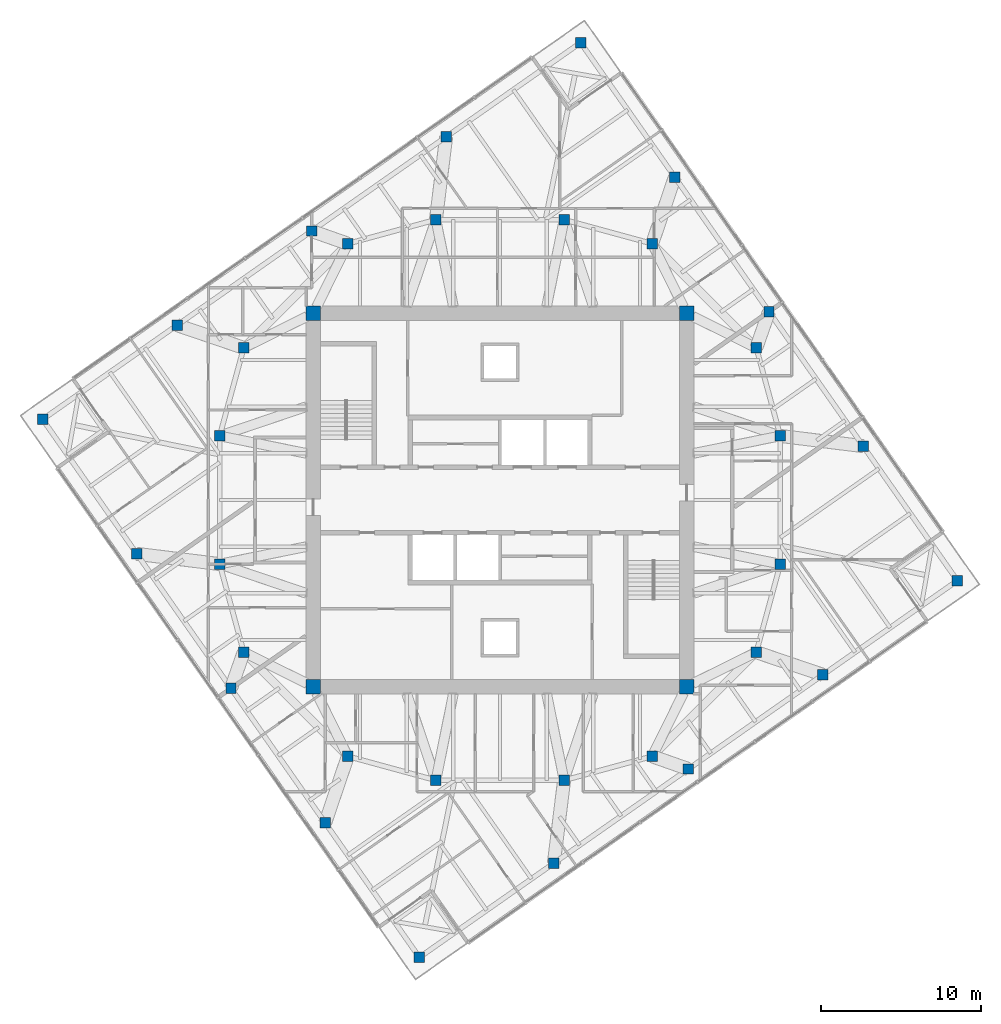
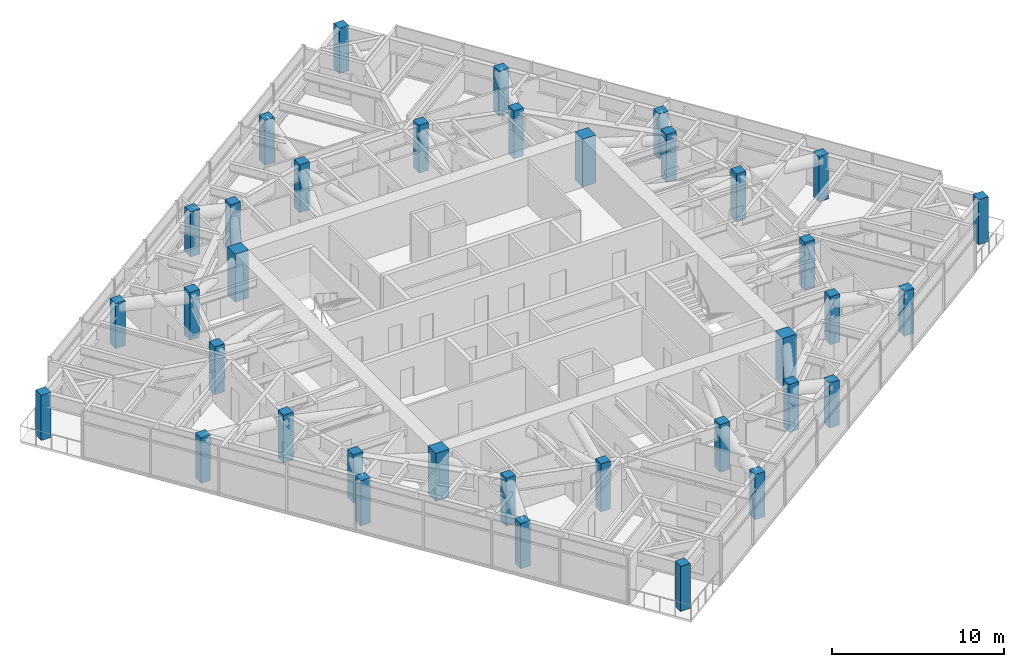
# One storey, part 1 of 15: 36 columns.
"""IFC4 building model written with IfcOpenShell, lengths in metres."""

from ifc_helpers import new_model, si_unit, direction, frame, origin, origin_2d, place, context, subcontext, project, spatial, rectangle, extrude, material, material_profile, profile_set, type_object, element, save


model = new_model("IFC4")

# Units and contexts
model_context = context("Model", 3, precision=1e-05, world=origin(), true_north=direction((0.0, 1.0)))
body_context = subcontext(model_context, "Body", "Model", "MODEL_VIEW")
ifc_project = project(units=[si_unit("LENGTHUNIT", "METRE"), si_unit("AREAUNIT", "SQUARE_METRE"), si_unit("VOLUMEUNIT", "CUBIC_METRE"), si_unit("PLANEANGLEUNIT", "RADIAN"), si_unit("MASSUNIT", "GRAM", prefix="KILO")], contexts=[model_context])

# Site, building, storey
site_placement = place(None, origin())
site = spatial("IfcSite", under=ifc_project, at=site_placement, CompositionType="ELEMENT")
building_placement = place(site_placement, origin())
building = spatial("IfcBuilding", under=site, at=building_placement, Name="Torsade Residences", CompositionType="ELEMENT")
storey_placement = place(building_placement, frame((0.0, 0.0, 264.199951171875)))
storey = spatial("IfcBuildingStorey", under=building, at=storey_placement, Name="L73", CompositionType="ELEMENT", Elevation=264.199951171875)

# Columns
ifc_material_1 = material(Name="Concrete 80 MPa", Category="concrete")
ifc_material_profile_1 = material_profile(ifc_material_1, rectangle(XDim=0.89990234375, YDim=0.89990234375, at=origin_2d()), Name="RC 900x900")
ifc_profile_set_1 = profile_set([ifc_material_profile_1], Name="Concrete 80 MPa")
column_type_1 = type_object("IfcColumnType", Name="CORE CORNER COLUMN RC 900x900", PredefinedType="COLUMN", material=ifc_profile_set_1)
for number, where, z_axis, x_axis, name in (
    (1, (28.35009765625, 18.35009765625, 0.0), (0.0, 0.0, 1.0), (1.0, 0.0, 0.0), "Core corner column CC1 L73"),
    (2, (51.64990234375, 18.35009765625, 0.0), (0.0, 0.0, 1.0), (1.0, 0.0, 0.0), "Core corner column CC2 L73"),
    (3, (51.64990234375, 41.64990234375, 0.0), (0.0, 0.0, 1.0), (1.0, 0.0, 0.0), "Core corner column CC3 L73"),
    (4, (28.35009765625, 41.64990234375, 0.0), (0.0, 0.0, 1.0), (1.0, 0.0, 0.0), "Core corner column CC4 L73"),
):
    element("IfcColumn", number, at=place(storey_placement, frame(where, z_axis=z_axis, x_axis=x_axis)), inside=storey, type_object=column_type_1, Name=name, PredefinedType="COLUMN", context=body_context, shape_type="SweptSolid", body=[
        extrude(rectangle(XDim=0.89990234375, YDim=0.89990234375, at=origin_2d()), origin(), (0.0, 0.0, 1.0), 3.400146484375),
    ])
ifc_material_2 = material(Name="Concrete 80 MPa", Category="concrete")
ifc_material_profile_2 = material_profile(ifc_material_2, rectangle(XDim=0.64990234375, YDim=0.64990234375, at=origin_2d()), Name="RC 650x650")
ifc_profile_set_2 = profile_set([ifc_material_profile_2], Name="Concrete 80 MPa")
column_type_2 = type_object("IfcColumnType", Name="INNER RING COLUMN RC 650x650", PredefinedType="COLUMN", material=ifc_profile_set_2)
for number, where, z_axis, x_axis, name in (
    (5, (57.5, 26.0, 0.0), (0.0, 0.0, 1.0), (1.0, 0.0, 0.0), "Inner ring column IR01 L73"),
    (6, (57.5, 34.0, 0.0), (0.0, 0.0, 1.0), (1.0, 0.0, 0.0), "Inner ring column IR02 L73"),
    (7, (56.0, 39.5, 0.0), (0.0, 0.0, 1.0), (1.0, 0.0, 0.0), "Inner ring column IR03 L73"),
    (8, (49.5, 46.0, 0.0), (0.0, 0.0, 1.0), (1.0, 0.0, 0.0), "Inner ring column IR04 L73"),
    (9, (44.0, 47.5, 0.0), (0.0, 0.0, 1.0), (1.0, 0.0, 0.0), "Inner ring column IR05 L73"),
    (10, (36.0, 47.5, 0.0), (0.0, 0.0, 1.0), (1.0, 0.0, 0.0), "Inner ring column IR06 L73"),
    (11, (30.5, 46.0, 0.0), (0.0, 0.0, 1.0), (1.0, 0.0, 0.0), "Inner ring column IR07 L73"),
    (12, (24.0, 39.5, 0.0), (0.0, 0.0, 1.0), (1.0, 0.0, 0.0), "Inner ring column IR08 L73"),
    (13, (22.5, 34.0, 0.0), (0.0, 0.0, 1.0), (1.0, 0.0, 0.0), "Inner ring column IR09 L73"),
    (14, (22.5, 26.0, 0.0), (0.0, 0.0, 1.0), (1.0, 0.0, 0.0), "Inner ring column IR10 L73"),
    (15, (24.0, 20.5, 0.0), (0.0, 0.0, 1.0), (1.0, 0.0, 0.0), "Inner ring column IR11 L73"),
    (16, (30.5, 14.0, 0.0), (0.0, 0.0, 1.0), (1.0, 0.0, 0.0), "Inner ring column IR12 L73"),
    (17, (36.0, 12.5, 0.0), (0.0, 0.0, 1.0), (1.0, 0.0, 0.0), "Inner ring column IR13 L73"),
    (18, (44.0, 12.5, 0.0), (0.0, 0.0, 1.0), (1.0, 0.0, 0.0), "Inner ring column IR14 L73"),
    (19, (49.5, 14.0, 0.0), (0.0, 0.0, 1.0), (1.0, 0.0, 0.0), "Inner ring column IR15 L73"),
    (20, (56.0, 20.5, 0.0), (0.0, 0.0, 1.0), (1.0, 0.0, 0.0), "Inner ring column IR16 L73"),
):
    element("IfcColumn", number, at=place(storey_placement, frame(where, z_axis=z_axis, x_axis=x_axis)), inside=storey, type_object=column_type_2, Name=name, PredefinedType="COLUMN", context=body_context, shape_type="SweptSolid", body=[
        extrude(rectangle(XDim=0.64990234375, YDim=0.64990234375, at=origin_2d()), origin(), (0.0, 0.0, 1.0), 3.400146484375),
    ])
ifc_material_3 = material(Name="Concrete 80 MPa", Category="concrete")
ifc_material_profile_3 = material_profile(ifc_material_3, rectangle(XDim=0.64990234375, YDim=0.64990234375, at=origin_2d()), Name="RC 650x650")
ifc_profile_set_3 = profile_set([ifc_material_profile_3], Name="Concrete 80 MPa")
column_type_3 = type_object("IfcColumnType", Name="TOWER COLUMN RC 650x650", PredefinedType="COLUMN", material=ifc_profile_set_3)
for number, where, z_axis, x_axis, name in (
    (21, (34.9658203125, 1.448974609375, 0.0), (0.0, 0.0, 1.0), (1.0, 0.0, 0.0), "Column TC8-01 L73"),
    (22, (43.362060546875, 7.328125, 0.0), (0.0, 0.0, 1.0), (1.0, 0.0, 0.0), "Column TC8-02 L73"),
    (23, (51.75830078125, 13.207275390625, 0.0), (0.0, 0.0, 1.0), (1.0, 0.0, 0.0), "Column TC8-03 L73"),
    (24, (60.154541015625, 19.08642578125, 0.0), (0.0, 0.0, 1.0), (1.0, 0.0, 0.0), "Column TC8-04 L73"),
    (25, (68.551025390625, 24.9658203125, 0.0), (0.0, 0.0, 1.0), (1.0, 0.0, 0.0), "Column TC8-05 L73"),
    (26, (62.671875, 33.362060546875, 0.0), (0.0, 0.0, 1.0), (1.0, 0.0, 0.0), "Column TC8-06 L73"),
    (27, (56.792724609375, 41.75830078125, 0.0), (0.0, 0.0, 1.0), (1.0, 0.0, 0.0), "Column TC8-07 L73"),
    (28, (50.91357421875, 50.154541015625, 0.0), (0.0, 0.0, 1.0), (1.0, 0.0, 0.0), "Column TC8-08 L73"),
    (29, (45.0341796875, 58.551025390625, 0.0), (0.0, 0.0, 1.0), (1.0, 0.0, 0.0), "Column TC8-09 L73"),
    (30, (36.637939453125, 52.671875, 0.0), (0.0, 0.0, 1.0), (1.0, 0.0, 0.0), "Column TC8-10 L73"),
    (31, (28.24169921875, 46.792724609375, 0.0), (0.0, 0.0, 1.0), (1.0, 0.0, 0.0), "Column TC8-11 L73"),
    (32, (19.845458984375, 40.91357421875, 0.0), (0.0, 0.0, 1.0), (1.0, 0.0, 0.0), "Column TC8-12 L73"),
    (33, (11.448974609375, 35.0341796875, 0.0), (0.0, 0.0, 1.0), (1.0, 0.0, 0.0), "Column TC8-13 L73"),
    (34, (17.328125, 26.637939453125, 0.0), (0.0, 0.0, 1.0), (1.0, 0.0, 0.0), "Column TC8-14 L73"),
    (35, (23.207275390625, 18.24169921875, 0.0), (0.0, 0.0, 1.0), (1.0, 0.0, 0.0), "Column TC8-15 L73"),
    (36, (29.08642578125, 9.845458984375, 0.0), (0.0, 0.0, 1.0), (1.0, 0.0, 0.0), "Column TC8-16 L73"),
):
    element("IfcColumn", number, at=place(storey_placement, frame(where, z_axis=z_axis, x_axis=x_axis)), inside=storey, type_object=column_type_3, Name=name, PredefinedType="COLUMN", context=body_context, shape_type="SweptSolid", body=[
        extrude(rectangle(XDim=0.64990234375, YDim=0.64990234375, at=origin_2d()), origin(), (0.0, 0.0, 1.0), 3.199951171875),
    ])

save(model, "model.ifc")
